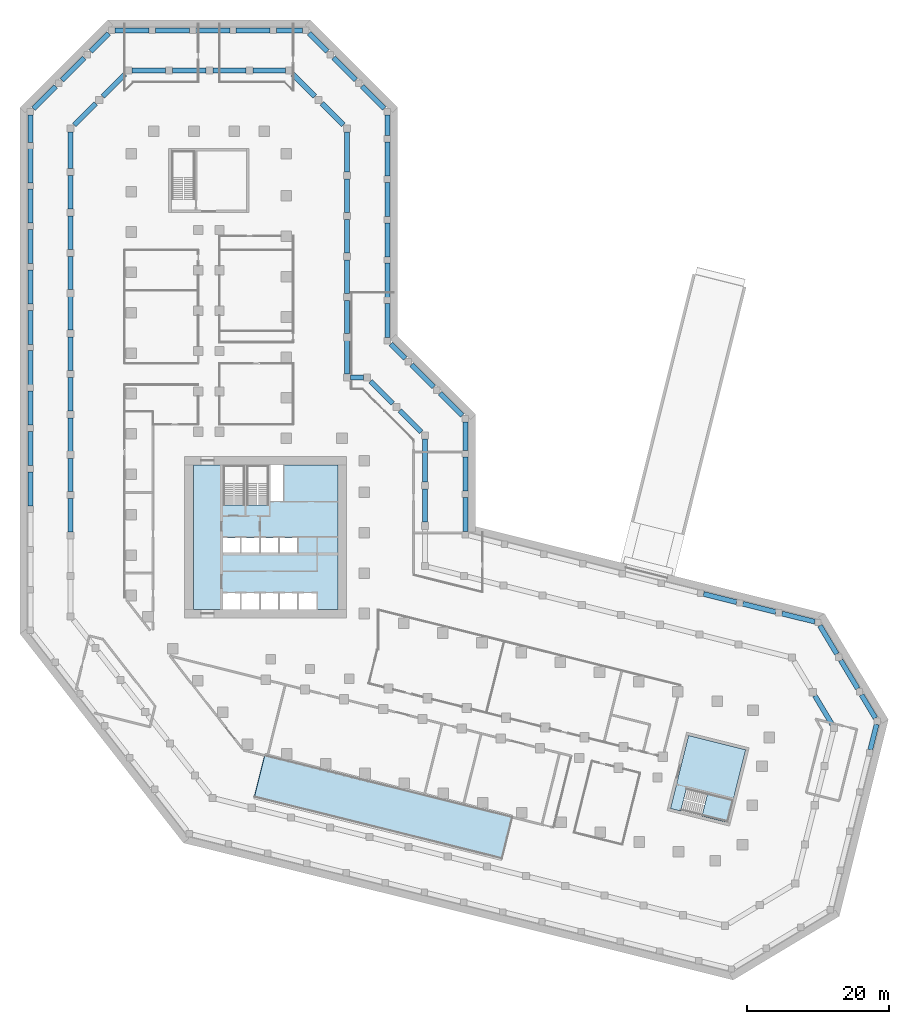
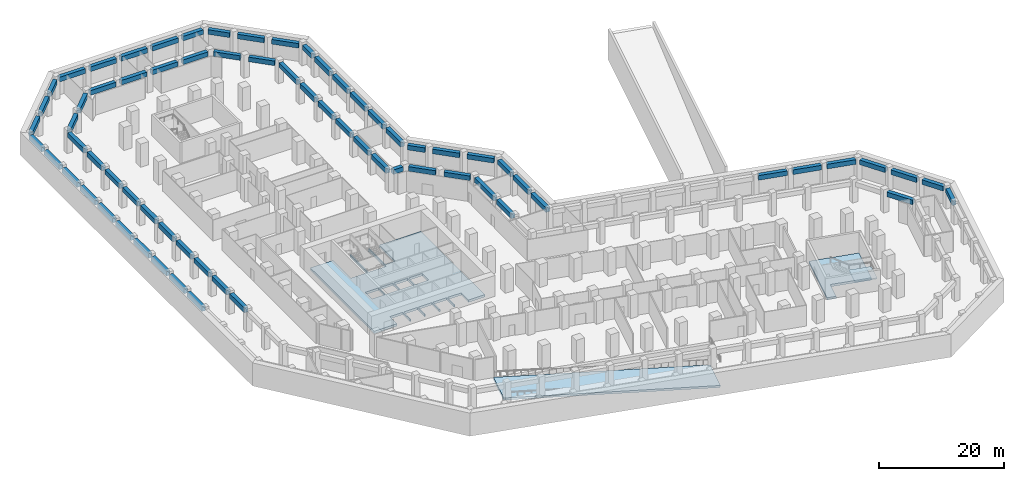
# One storey, part 3 of 14: 70 beams, 4 slabs, 1 element without a shape of its own.
"""IFC4 building model written with IfcOpenShell, lengths in metres."""

from ifc_helpers import new_model, si_unit, direction, frame, origin, origin_2d, place, context, subcontext, project, spatial, polyline, rectangle, outline, extrude, material, layer, layer_set, material_profile, profile_set, type_object, element, aggregate, save


model = new_model("IFC4")

# Units and contexts
model_context = context("Model", 3, precision=1e-05, world=origin(), true_north=direction((0.0, 1.0)))
body_context = subcontext(model_context, "Body", "Model", "MODEL_VIEW")
ifc_project = project(units=[si_unit("LENGTHUNIT", "METRE"), si_unit("AREAUNIT", "SQUARE_METRE"), si_unit("VOLUMEUNIT", "CUBIC_METRE"), si_unit("PLANEANGLEUNIT", "RADIAN"), si_unit("MASSUNIT", "GRAM", prefix="KILO")], contexts=[model_context])

# Site, building, storey
site_placement = place(None, origin())
site = spatial("IfcSite", under=ifc_project, at=site_placement, CompositionType="ELEMENT")
building_placement = place(site_placement, origin())
building = spatial("IfcBuilding", under=site, at=building_placement, Name="Meshkara Civic Tower", CompositionType="ELEMENT")
storey_placement = place(building_placement, frame((0.0, 0.0, -4.5)))
storey = spatial("IfcBuildingStorey", under=building, at=storey_placement, Name="B1", CompositionType="ELEMENT", Elevation=-4.5)

# Beams
ifc_material_1 = material(Name="Concrete C60", Category="concrete")
ifc_material_profile = material_profile(ifc_material_1, rectangle(XDim=0.699951171875, YDim=0.89990234375, at=origin_2d()))
ifc_profile_set = profile_set([ifc_material_profile], Name="Concrete C60")
beam_type = type_object("IfcBeamType", Name="Spandrel beam RC 700x900 C60", PredefinedType="BEAM", material=ifc_profile_set)
beam_1_placement = place(storey_placement, frame((36.153564453125, 85.96337890625, 3.60009765625), z_axis=(-0.707106781187, 0.707106781187, 0.0), x_axis=(-0.707106781187, -0.707106781187, 0.0)))
element("IfcBeam", 1, at=beam_1_placement, inside=storey, type_object=beam_type, Name="Spandrel beam BM11-E-BM12-01", PredefinedType="BEAM", context=body_context, shape_type="SweptSolid", body=[
    extrude(rectangle(XDim=0.699951171875, YDim=0.89990234375, at=origin_2d()), origin(), (0.0, 0.0, 1.0), 4.43798828125),
])
beam_2_placement = place(storey_placement, frame((32.12255859375, 89.994384765625, 3.60009765625), z_axis=(-0.707079265698, 0.707134295604, 0.0), x_axis=(-0.707134295604, -0.707079265698, 0.0)))
element("IfcBeam", 2, at=beam_2_placement, inside=storey, type_object=beam_type, Name="Spandrel beam BM12-01-BM12-02", PredefinedType="BEAM", context=body_context, shape_type="SweptSolid", body=[
    extrude(rectangle(XDim=0.699951171875, YDim=0.89990234375, at=origin_2d()), origin(), (0.0, 0.0, 1.0), 4.4365234375),
])
beam_3_placement = place(storey_placement, frame((28.092529296875, 94.0244140625, 3.60009765625), z_axis=(-0.707106781187, 0.707106781187, 0.0), x_axis=(-0.707106781187, -0.707106781187, 0.0)))
element("IfcBeam", 3, at=beam_3_placement, inside=storey, type_object=beam_type, Name="Spandrel beam BM00-E-BM12-02", PredefinedType="BEAM", context=body_context, shape_type="SweptSolid", body=[
    extrude(rectangle(XDim=0.699951171875, YDim=0.89990234375, at=origin_2d()), origin(), (0.0, 0.0, 1.0), 3.60498046875),
])
beam_4_placement = place(storey_placement, frame((24.652099609375, 97.02001953125, 3.60009765625), z_axis=(-1.0, 0.0, 0.0), x_axis=(0.0, -1.0, 0.0)))
element("IfcBeam", 4, at=beam_4_placement, inside=storey, type_object=beam_type, Name="Spandrel beam BM00-04-BM00-E", PredefinedType="BEAM", context=body_context, shape_type="SweptSolid", body=[
    extrude(rectangle(XDim=0.699951171875, YDim=0.89990234375, at=origin_2d()), origin(), (0.0, 0.0, 1.0), 3.7041015625),
])
beam_5_placement = place(storey_placement, frame((20.05810546875, 97.02001953125, 3.60009765625), z_axis=(-1.0, 0.0, 0.0), x_axis=(0.0, -1.0, 0.0)))
element("IfcBeam", 5, at=beam_5_placement, inside=storey, type_object=beam_type, Name="Spandrel beam BM00-03-BM00-04", PredefinedType="BEAM", context=body_context, shape_type="SweptSolid", body=[
    extrude(rectangle(XDim=0.699951171875, YDim=0.89990234375, at=origin_2d()), origin(), (0.0, 0.0, 1.0), 4.81005859375),
])
beam_6_placement = place(storey_placement, frame((14.35791015625, 97.02001953125, 3.60009765625), z_axis=(-1.0, 0.0, 0.0), x_axis=(0.0, -1.0, 0.0)))
element("IfcBeam", 6, at=beam_6_placement, inside=storey, type_object=beam_type, Name="Spandrel beam BM00-02-BM00-03", PredefinedType="BEAM", context=body_context, shape_type="SweptSolid", body=[
    extrude(rectangle(XDim=0.699951171875, YDim=0.89990234375, at=origin_2d()), origin(), (0.0, 0.0, 1.0), 4.809814453125),
])
for number, where, z_axis, x_axis, name in (
    (7, (8.657958984375, 97.02001953125, 3.60009765625), (-1.0, 0.0, 0.0), (0.0, -1.0, 0.0), "Spandrel beam BM00-01-BM00-02"),
    (8, (2.9580078125, 97.02001953125, 3.60009765625), (-1.0, 0.0, 0.0), (0.0, -1.0, 0.0), "Spandrel beam BM00-00-BM00-01"),
):
    element("IfcBeam", number, at=place(storey_placement, frame(where, z_axis=z_axis, x_axis=x_axis)), inside=storey, type_object=beam_type, Name=name, PredefinedType="BEAM", context=body_context, shape_type="SweptSolid", body=[
        extrude(rectangle(XDim=0.699951171875, YDim=0.89990234375, at=origin_2d()), origin(), (0.0, 0.0, 1.0), 4.81005859375),
    ])
beam_7_placement = place(storey_placement, frame((-2.743408203125, 96.573486328125, 3.60009765625), z_axis=(-0.707106781187, -0.707106781187, 0.0), x_axis=(0.707106781187, -0.707106781187, 0.0)))
element("IfcBeam", 9, at=beam_7_placement, inside=storey, type_object=beam_type, Name="Spandrel beam BM00-00-BM01-02", PredefinedType="BEAM", context=body_context, shape_type="SweptSolid", body=[
    extrude(rectangle(XDim=0.699951171875, YDim=0.89990234375, at=origin_2d()), origin(), (0.0, 0.0, 1.0), 3.60498046875),
])
beam_8_placement = place(storey_placement, frame((-6.185546875, 93.131591796875, 3.60009765625), z_axis=(-0.707079265698, -0.707134295604, 0.0), x_axis=(0.707134295604, -0.707079265698, 0.0)))
element("IfcBeam", 10, at=beam_8_placement, inside=storey, type_object=beam_type, Name="Spandrel beam BM01-01-BM01-02", PredefinedType="BEAM", context=body_context, shape_type="SweptSolid", body=[
    extrude(rectangle(XDim=0.699951171875, YDim=0.89990234375, at=origin_2d()), origin(), (0.0, 0.0, 1.0), 4.4365234375),
])
beam_9_placement = place(storey_placement, frame((-10.215576171875, 89.1015625, 3.60009765625), z_axis=(-0.707079274261, -0.707134287042, 0.0), x_axis=(0.707134287042, -0.707079274261, 0.0)))
element("IfcBeam", 11, at=beam_9_placement, inside=storey, type_object=beam_type, Name="Spandrel beam BM01-00-BM01-01", PredefinedType="BEAM", context=body_context, shape_type="SweptSolid", body=[
    extrude(rectangle(XDim=0.699951171875, YDim=0.89990234375, at=origin_2d()), origin(), (0.0, 0.0, 1.0), 4.43798828125),
])
beam_10_placement = place(storey_placement, frame((-13.800048828125, 85.072021484375, 3.60009765625), z_axis=(0.0, -1.0, 0.0), x_axis=(1.0, 0.0, 0.0)))
element("IfcBeam", 12, at=beam_10_placement, inside=storey, type_object=beam_type, Name="Spandrel beam BM01-00-BM02-12", PredefinedType="BEAM", context=body_context, shape_type="SweptSolid", body=[
    extrude(rectangle(XDim=0.699951171875, YDim=0.89990234375, at=origin_2d()), origin(), (0.0, 0.0, 1.0), 3.87890625),
])
for number, where, z_axis, x_axis, name in (
    (13, (-13.800048828125, 80.302978515625, 3.60009765625), (0.0, -1.0, 0.0), (1.0, 0.0, 0.0), "Spandrel beam BM02-11-BM02-12"),
    (14, (-13.800048828125, 74.60302734375, 3.60009765625), (0.0, -1.0, 0.0), (1.0, 0.0, 0.0), "Spandrel beam BM02-10-BM02-11"),
    (15, (-13.800048828125, 68.903076171875, 3.60009765625), (0.0, -1.0, 0.0), (1.0, 0.0, 0.0), "Spandrel beam BM02-09-BM02-10"),
):
    element("IfcBeam", number, at=place(storey_placement, frame(where, z_axis=z_axis, x_axis=x_axis)), inside=storey, type_object=beam_type, Name=name, PredefinedType="BEAM", context=body_context, shape_type="SweptSolid", body=[
        extrude(rectangle(XDim=0.699951171875, YDim=0.89990234375, at=origin_2d()), origin(), (0.0, 0.0, 1.0), 4.81005859375),
    ])
for number, where, z_axis, x_axis, name in (
    (16, (-13.800048828125, 63.202880859375, 3.60009765625), (0.0, -1.0, 0.0), (1.0, 0.0, 0.0), "Spandrel beam BM02-08-BM02-09"),
    (17, (-13.800048828125, 57.5029296875, 3.60009765625), (0.0, -1.0, 0.0), (1.0, 0.0, 0.0), "Spandrel beam BM02-07-BM02-08"),
):
    element("IfcBeam", number, at=place(storey_placement, frame(where, z_axis=z_axis, x_axis=x_axis)), inside=storey, type_object=beam_type, Name=name, PredefinedType="BEAM", context=body_context, shape_type="SweptSolid", body=[
        extrude(rectangle(XDim=0.699951171875, YDim=0.89990234375, at=origin_2d()), origin(), (0.0, 0.0, 1.0), 4.809814453125),
    ])
for number, where, z_axis, x_axis, name in (
    (18, (-13.800048828125, 51.802978515625, 3.60009765625), (0.0, -1.0, 0.0), (1.0, 0.0, 0.0), "Spandrel beam BM02-06-BM02-07"),
    (19, (-13.800048828125, 46.10302734375, 3.60009765625), (0.0, -1.0, 0.0), (1.0, 0.0, 0.0), "Spandrel beam BM02-05-BM02-06"),
    (20, (-13.800048828125, 40.403076171875, 3.60009765625), (0.0, -1.0, 0.0), (1.0, 0.0, 0.0), "Spandrel beam BM02-04-BM02-05"),
):
    element("IfcBeam", number, at=place(storey_placement, frame(where, z_axis=z_axis, x_axis=x_axis)), inside=storey, type_object=beam_type, Name=name, PredefinedType="BEAM", context=body_context, shape_type="SweptSolid", body=[
        extrude(rectangle(XDim=0.699951171875, YDim=0.89990234375, at=origin_2d()), origin(), (0.0, 0.0, 1.0), 4.81005859375),
    ])
beam_11_placement = place(storey_placement, frame((-13.800048828125, 34.702880859375, 3.60009765625), z_axis=(0.0, -1.0, 0.0), x_axis=(1.0, 0.0, 0.0)))
element("IfcBeam", 21, at=beam_11_placement, inside=storey, type_object=beam_type, Name="Spandrel beam BM02-03-BM02-04", PredefinedType="BEAM", context=body_context, shape_type="SweptSolid", body=[
    extrude(rectangle(XDim=0.699951171875, YDim=0.89990234375, at=origin_2d()), origin(), (0.0, 0.0, 1.0), 4.809814453125),
])
beam_12_placement = place(storey_placement, frame((104.739990234375, -4.510009765625, 3.60009765625), z_axis=(0.241879064619, 0.970306404235, 0.0), x_axis=(-0.970306404235, 0.241879064619, 0.0)))
element("IfcBeam", 22, at=beam_12_placement, inside=storey, type_object=beam_type, Name="Spandrel beam BM06-04-BM06-E", PredefinedType="BEAM", context=body_context, shape_type="SweptSolid", body=[
    extrude(rectangle(XDim=0.699951171875, YDim=0.89990234375, at=origin_2d()), origin(), (0.0, 0.0, 1.0), 3.675048828125),
])
beam_13_placement = place(storey_placement, frame((105.47216796875, -0.05322265625, 3.60009765625), z_axis=(-0.515123927013, 0.857115709703, 0.0), x_axis=(-0.857115709703, -0.515123927013, 0.0)))
element("IfcBeam", 23, at=beam_13_placement, inside=storey, type_object=beam_type, Name="Spandrel beam BM06-E-BM07-02", PredefinedType="BEAM", context=body_context, shape_type="SweptSolid", body=[
    extrude(rectangle(XDim=0.699951171875, YDim=0.89990234375, at=origin_2d()), origin(), (0.0, 0.0, 1.0), 3.82861328125),
])
beam_14_placement = place(storey_placement, frame((102.964111328125, 4.11962890625, 3.60009765625), z_axis=(-0.51511976576, 0.857118210589, 0.0), x_axis=(-0.857118210589, -0.51511976576, 0.0)))
element("IfcBeam", 24, at=beam_14_placement, inside=storey, type_object=beam_type, Name="Spandrel beam BM07-01-BM07-02", PredefinedType="BEAM", context=body_context, shape_type="SweptSolid", body=[
    extrude(rectangle(XDim=0.699951171875, YDim=0.89990234375, at=origin_2d()), origin(), (0.0, 0.0, 1.0), 4.659423828125),
])
beam_15_placement = place(storey_placement, frame((100.0283203125, 9.004638671875, 3.60009765625), z_axis=(-0.515104219257, 0.857127553695, 0.0), x_axis=(-0.857127553695, -0.515104219257, 0.0)))
element("IfcBeam", 25, at=beam_15_placement, inside=storey, type_object=beam_type, Name="Spandrel beam BM07-00-BM07-01", PredefinedType="BEAM", context=body_context, shape_type="SweptSolid", body=[
    extrude(rectangle(XDim=0.699951171875, YDim=0.89990234375, at=origin_2d()), origin(), (0.0, 0.0, 1.0), 4.660400390625),
])
beam_16_placement = place(storey_placement, frame((96.914794921875, 13.555908203125, 3.60009765625), z_axis=(-0.97029597105, 0.241920913861, 0.0), x_axis=(-0.241920913861, -0.97029597105, 0.0)))
element("IfcBeam", 26, at=beam_16_placement, inside=storey, type_object=beam_type, Name="Spandrel beam BM07-00-BM08-08", PredefinedType="BEAM", context=body_context, shape_type="SweptSolid", body=[
    extrude(rectangle(XDim=0.699951171875, YDim=0.89990234375, at=origin_2d()), origin(), (0.0, 0.0, 1.0), 4.766357421875),
])
beam_17_placement = place(storey_placement, frame((91.39990234375, 14.930908203125, 3.60009765625), z_axis=(-0.970289478464, 0.241946952825, 0.0), x_axis=(-0.241946952825, -0.970289478464, 0.0)))
element("IfcBeam", 27, at=beam_17_placement, inside=storey, type_object=beam_type, Name="Spandrel beam BM08-07-BM08-08", PredefinedType="BEAM", context=body_context, shape_type="SweptSolid", body=[
    extrude(rectangle(XDim=0.699951171875, YDim=0.89990234375, at=origin_2d()), origin(), (0.0, 0.0, 1.0), 4.781982421875),
])
beam_18_placement = place(storey_placement, frame((85.869873046875, 16.31005859375, 3.60009765625), z_axis=(-0.970301429476, 0.241899020164, 0.0), x_axis=(-0.241899020164, -0.970301429476, 0.0)))
element("IfcBeam", 28, at=beam_18_placement, inside=storey, type_object=beam_type, Name="Spandrel beam BM08-06-BM08-07", PredefinedType="BEAM", context=body_context, shape_type="SweptSolid", body=[
    extrude(rectangle(XDim=0.699951171875, YDim=0.89990234375, at=origin_2d()), origin(), (0.0, 0.0, 1.0), 4.782958984375),
])
for number, where, z_axis, x_axis, name in (
    (29, (47.60009765625, 26.297119140625, 3.60009765625), (0.0, 1.0, 0.0), (-1.0, 0.0, 0.0), "Spandrel beam BM08-00-BM09-01"),
    (30, (47.60009765625, 31.9970703125, 3.60009765625), (0.0, 1.0, 0.0), (-1.0, 0.0, 0.0), "Spandrel beam BM09-01-BM09-02"),
):
    element("IfcBeam", number, at=place(storey_placement, frame(where, z_axis=z_axis, x_axis=x_axis)), inside=storey, type_object=beam_type, Name=name, PredefinedType="BEAM", context=body_context, shape_type="SweptSolid", body=[
        extrude(rectangle(XDim=0.699951171875, YDim=0.89990234375, at=origin_2d()), origin(), (0.0, 0.0, 1.0), 4.809814453125),
    ])
beam_19_placement = place(storey_placement, frame((47.60009765625, 37.697021484375, 3.60009765625), z_axis=(0.0, 1.0, 0.0), x_axis=(-1.0, 0.0, 0.0)))
element("IfcBeam", 31, at=beam_19_placement, inside=storey, type_object=beam_type, Name="Spandrel beam BM09-02-BM09-E", PredefinedType="BEAM", context=body_context, shape_type="SweptSolid", body=[
    extrude(rectangle(XDim=0.699951171875, YDim=0.89990234375, at=origin_2d()), origin(), (0.0, 0.0, 1.0), 4.054931640625),
])
beam_20_placement = place(storey_placement, frame((47.153564453125, 42.6435546875, 3.60009765625), z_axis=(-0.707134287042, 0.707079274261, 0.0), x_axis=(-0.707079274261, -0.707134287042, 0.0)))
element("IfcBeam", 32, at=beam_20_placement, inside=storey, type_object=beam_type, Name="Spandrel beam BM09-E-BM10-01", PredefinedType="BEAM", context=body_context, shape_type="SweptSolid", body=[
    extrude(rectangle(XDim=0.699951171875, YDim=0.89990234375, at=origin_2d()), origin(), (0.0, 0.0, 1.0), 4.43798828125),
])
beam_21_placement = place(storey_placement, frame((43.12255859375, 46.674560546875, 3.60009765625), z_axis=(-0.707106781187, 0.707106781187, 0.0), x_axis=(-0.707106781187, -0.707106781187, 0.0)))
element("IfcBeam", 33, at=beam_21_placement, inside=storey, type_object=beam_type, Name="Spandrel beam BM10-01-BM10-02", PredefinedType="BEAM", context=body_context, shape_type="SweptSolid", body=[
    extrude(rectangle(XDim=0.699951171875, YDim=0.89990234375, at=origin_2d()), origin(), (0.0, 0.0, 1.0), 4.436279296875),
])
beam_22_placement = place(storey_placement, frame((39.092529296875, 50.70458984375, 3.60009765625), z_axis=(-0.707148967553, 0.707064592303, 0.0), x_axis=(-0.707064592303, -0.707148967553, 0.0)))
element("IfcBeam", 34, at=beam_22_placement, inside=storey, type_object=beam_type, Name="Spandrel beam BM10-02-BM10-E", PredefinedType="BEAM", context=body_context, shape_type="SweptSolid", body=[
    extrude(rectangle(XDim=0.699951171875, YDim=0.89990234375, at=origin_2d()), origin(), (0.0, 0.0, 1.0), 2.8935546875),
])
beam_23_placement = place(storey_placement, frame((36.60009765625, 53.64208984375, 3.60009765625), z_axis=(0.0, 1.0, 0.0), x_axis=(-1.0, 0.0, 0.0)))
element("IfcBeam", 35, at=beam_23_placement, inside=storey, type_object=beam_type, Name="Spandrel beam BM10-E-BM11-01", PredefinedType="BEAM", context=body_context, shape_type="SweptSolid", body=[
    extrude(rectangle(XDim=0.699951171875, YDim=0.89990234375, at=origin_2d()), origin(), (0.0, 0.0, 1.0), 4.809814453125),
])
for number, where, z_axis, x_axis, name in (
    (36, (36.60009765625, 59.342041015625, 3.60009765625), (0.0, 1.0, 0.0), (-1.0, 0.0, 0.0), "Spandrel beam BM11-01-BM11-02"),
    (37, (36.60009765625, 65.0419921875, 3.60009765625), (0.0, 1.0, 0.0), (-1.0, 0.0, 0.0), "Spandrel beam BM11-02-BM11-03"),
    (38, (36.60009765625, 70.741943359375, 3.60009765625), (0.0, 1.0, 0.0), (-1.0, 0.0, 0.0), "Spandrel beam BM11-03-BM11-04"),
    (39, (36.60009765625, 76.44189453125, 3.60009765625), (0.0, 1.0, 0.0), (-1.0, 0.0, 0.0), "Spandrel beam BM11-04-BM11-05"),
):
    element("IfcBeam", number, at=place(storey_placement, frame(where, z_axis=z_axis, x_axis=x_axis)), inside=storey, type_object=beam_type, Name=name, PredefinedType="BEAM", context=body_context, shape_type="SweptSolid", body=[
        extrude(rectangle(XDim=0.699951171875, YDim=0.89990234375, at=origin_2d()), origin(), (0.0, 0.0, 1.0), 4.81005859375),
    ])
beam_24_placement = place(storey_placement, frame((36.60009765625, 82.14208984375, 3.60009765625), z_axis=(0.0, 1.0, 0.0), x_axis=(-1.0, 0.0, 0.0)))
element("IfcBeam", 40, at=beam_24_placement, inside=storey, type_object=beam_type, Name="Spandrel beam BM11-05-BM11-E", PredefinedType="BEAM", context=body_context, shape_type="SweptSolid", body=[
    extrude(rectangle(XDim=0.699951171875, YDim=0.89990234375, at=origin_2d()), origin(), (0.0, 0.0, 1.0), 2.929931640625),
])
beam_25_placement = place(storey_placement, frame((30.403564453125, 83.652587890625, 3.60009765625), z_axis=(-0.707135193312, 0.707078367919, 0.0), x_axis=(-0.707078367919, -0.707135193312, 0.0)))
element("IfcBeam", 41, at=beam_25_placement, inside=storey, type_object=beam_type, Name="Spandrel beam PD12-E-PD13-01", PredefinedType="BEAM", context=body_context, shape_type="SweptSolid", body=[
    extrude(rectangle(XDim=0.699951171875, YDim=0.89990234375, at=origin_2d()), origin(), (0.0, 0.0, 1.0), 4.29638671875),
])
beam_26_placement = place(storey_placement, frame((26.37255859375, 87.68359375, 3.60009765625), z_axis=(-0.707134269933, 0.707079291371, 0.0), x_axis=(-0.707079291371, -0.707134269933, 0.0)))
element("IfcBeam", 42, at=beam_26_placement, inside=storey, type_object=beam_type, Name="Spandrel beam PD00-E-PD13-01", PredefinedType="BEAM", context=body_context, shape_type="SweptSolid", body=[
    extrude(rectangle(XDim=0.699951171875, YDim=0.89990234375, at=origin_2d()), origin(), (0.0, 0.0, 1.0), 4.440673828125),
])
beam_27_placement = place(storey_placement, frame((22.240966796875, 91.320068359375, 3.60009765625), z_axis=(-1.0, 0.0, 0.0), x_axis=(0.0, -1.0, 0.0)))
element("IfcBeam", 43, at=beam_27_placement, inside=storey, type_object=beam_type, Name="Spandrel beam PD00-03-PD00-E", PredefinedType="BEAM", context=body_context, shape_type="SweptSolid", body=[
    extrude(rectangle(XDim=0.699951171875, YDim=0.89990234375, at=origin_2d()), origin(), (0.0, 0.0, 1.0), 4.58203125),
])
for number, where, z_axis, x_axis, name in (
    (44, (16.6689453125, 91.320068359375, 3.60009765625), (-1.0, 0.0, 0.0), (0.0, -1.0, 0.0), "Spandrel beam PD00-02-PD00-03"),
    (45, (10.968994140625, 91.320068359375, 3.60009765625), (-1.0, 0.0, 0.0), (0.0, -1.0, 0.0), "Spandrel beam PD00-01-PD00-02"),
    (46, (5.26904296875, 91.320068359375, 3.60009765625), (-1.0, 0.0, 0.0), (0.0, -1.0, 0.0), "Spandrel beam PD00-00-PD00-01"),
):
    element("IfcBeam", number, at=place(storey_placement, frame(where, z_axis=z_axis, x_axis=x_axis)), inside=storey, type_object=beam_type, Name=name, PredefinedType="BEAM", context=body_context, shape_type="SweptSolid", body=[
        extrude(rectangle(XDim=0.699951171875, YDim=0.89990234375, at=origin_2d()), origin(), (0.0, 0.0, 1.0), 4.7099609375),
    ])
beam_28_placement = place(storey_placement, frame((-0.4326171875, 90.823486328125, 3.60009765625), z_axis=(-0.707106781187, -0.707106781187, 0.0), x_axis=(0.707106781187, -0.707106781187, 0.0)))
element("IfcBeam", 47, at=beam_28_placement, inside=storey, type_object=beam_type, Name="Spandrel beam PD00-00-PD01-01", PredefinedType="BEAM", context=body_context, shape_type="SweptSolid", body=[
    extrude(rectangle(XDim=0.699951171875, YDim=0.89990234375, at=origin_2d()), origin(), (0.0, 0.0, 1.0), 4.4404296875),
])
beam_29_placement = place(storey_placement, frame((-4.5654296875, 86.6904296875, 3.60009765625), z_axis=(-0.707135193312, -0.707078367919, 0.0), x_axis=(0.707078367919, -0.707135193312, 0.0)))
element("IfcBeam", 48, at=beam_29_placement, inside=storey, type_object=beam_type, Name="Spandrel beam PD01-00-PD01-01", PredefinedType="BEAM", context=body_context, shape_type="SweptSolid", body=[
    extrude(rectangle(XDim=0.699951171875, YDim=0.89990234375, at=origin_2d()), origin(), (0.0, 0.0, 1.0), 4.29638671875),
])
beam_30_placement = place(storey_placement, frame((-8.10009765625, 82.660888671875, 3.60009765625), z_axis=(0.0, -1.0, 0.0), x_axis=(1.0, 0.0, 0.0)))
element("IfcBeam", 49, at=beam_30_placement, inside=storey, type_object=beam_type, Name="Spandrel beam PD01-00-PD02-11", PredefinedType="BEAM", context=body_context, shape_type="SweptSolid", body=[
    extrude(rectangle(XDim=0.699951171875, YDim=0.89990234375, at=origin_2d()), origin(), (0.0, 0.0, 1.0), 5.15478515625),
])
beam_31_placement = place(storey_placement, frame((-8.10009765625, 76.51611328125, 3.60009765625), z_axis=(0.0, -1.0, 0.0), x_axis=(1.0, 0.0, 0.0)))
element("IfcBeam", 50, at=beam_31_placement, inside=storey, type_object=beam_type, Name="Spandrel beam PD02-10-PD02-11", PredefinedType="BEAM", context=body_context, shape_type="SweptSolid", body=[
    extrude(rectangle(XDim=0.699951171875, YDim=0.89990234375, at=origin_2d()), origin(), (0.0, 0.0, 1.0), 4.710205078125),
])
for number, where, z_axis, x_axis, name in (
    (51, (-8.10009765625, 70.81591796875, 3.60009765625), (0.0, -1.0, 0.0), (1.0, 0.0, 0.0), "Spandrel beam PD02-09-PD02-10"),
    (52, (-8.10009765625, 65.115966796875, 3.60009765625), (0.0, -1.0, 0.0), (1.0, 0.0, 0.0), "Spandrel beam PD02-08-PD02-09"),
    (53, (-8.10009765625, 59.416015625, 3.60009765625), (0.0, -1.0, 0.0), (1.0, 0.0, 0.0), "Spandrel beam PD02-07-PD02-08"),
    (54, (-8.10009765625, 53.716064453125, 3.60009765625), (0.0, -1.0, 0.0), (1.0, 0.0, 0.0), "Spandrel beam PD02-06-PD02-07"),
):
    element("IfcBeam", number, at=place(storey_placement, frame(where, z_axis=z_axis, x_axis=x_axis)), inside=storey, type_object=beam_type, Name=name, PredefinedType="BEAM", context=body_context, shape_type="SweptSolid", body=[
        extrude(rectangle(XDim=0.699951171875, YDim=0.89990234375, at=origin_2d()), origin(), (0.0, 0.0, 1.0), 4.7099609375),
    ])
beam_32_placement = place(storey_placement, frame((-8.10009765625, 48.01611328125, 3.60009765625), z_axis=(0.0, -1.0, 0.0), x_axis=(1.0, 0.0, 0.0)))
element("IfcBeam", 55, at=beam_32_placement, inside=storey, type_object=beam_type, Name="Spandrel beam PD02-05-PD02-06", PredefinedType="BEAM", context=body_context, shape_type="SweptSolid", body=[
    extrude(rectangle(XDim=0.699951171875, YDim=0.89990234375, at=origin_2d()), origin(), (0.0, 0.0, 1.0), 4.710205078125),
])
for number, where, z_axis, x_axis, name in (
    (56, (-8.10009765625, 42.31591796875, 3.60009765625), (0.0, -1.0, 0.0), (1.0, 0.0, 0.0), "Spandrel beam PD02-04-PD02-05"),
    (57, (-8.10009765625, 36.615966796875, 3.60009765625), (0.0, -1.0, 0.0), (1.0, 0.0, 0.0), "Spandrel beam PD02-03-PD02-04"),
    (58, (-8.10009765625, 30.916015625, 3.60009765625), (0.0, -1.0, 0.0), (1.0, 0.0, 0.0), "Spandrel beam PD02-02-PD02-03"),
):
    element("IfcBeam", number, at=place(storey_placement, frame(where, z_axis=z_axis, x_axis=x_axis)), inside=storey, type_object=beam_type, Name=name, PredefinedType="BEAM", context=body_context, shape_type="SweptSolid", body=[
        extrude(rectangle(XDim=0.699951171875, YDim=0.89990234375, at=origin_2d()), origin(), (0.0, 0.0, 1.0), 4.7099609375),
    ])
beam_33_placement = place(storey_placement, frame((99.340087890625, -0.915283203125, 3.60009765625), z_axis=(-0.515169292752, 0.857088443398, 0.0), x_axis=(-0.857088443398, -0.515169292752, 0.0)))
element("IfcBeam", 59, at=beam_33_placement, inside=storey, type_object=beam_type, Name="Spandrel beam PD06-E-PD07-01", PredefinedType="BEAM", context=body_context, shape_type="SweptSolid", body=[
    extrude(rectangle(XDim=0.699951171875, YDim=0.89990234375, at=origin_2d()), origin(), (0.0, 0.0, 1.0), 4.689697265625),
])
beam_34_placement = place(storey_placement, frame((41.89990234375, 27.593994140625, 3.60009765625), z_axis=(0.0, 1.0, 0.0), x_axis=(-1.0, 0.0, 0.0)))
element("IfcBeam", 60, at=beam_34_placement, inside=storey, type_object=beam_type, Name="Spandrel beam PD09-01-PD09-02", PredefinedType="BEAM", context=body_context, shape_type="SweptSolid", body=[
    extrude(rectangle(XDim=0.699951171875, YDim=0.89990234375, at=origin_2d()), origin(), (0.0, 0.0, 1.0), 4.7099609375),
])
beam_35_placement = place(storey_placement, frame((41.89990234375, 33.2939453125, 3.60009765625), z_axis=(0.0, 1.0, 0.0), x_axis=(-1.0, 0.0, 0.0)))
element("IfcBeam", 61, at=beam_35_placement, inside=storey, type_object=beam_type, Name="Spandrel beam PD09-02-PD09-E", PredefinedType="BEAM", context=body_context, shape_type="SweptSolid", body=[
    extrude(rectangle(XDim=0.699951171875, YDim=0.89990234375, at=origin_2d()), origin(), (0.0, 0.0, 1.0), 6.047119140625),
])
beam_36_placement = place(storey_placement, frame((41.403564453125, 40.33251953125, 3.60009765625), z_axis=(-0.707106781187, 0.707106781187, 0.0), x_axis=(-0.707106781187, -0.707106781187, 0.0)))
element("IfcBeam", 62, at=beam_36_placement, inside=storey, type_object=beam_type, Name="Spandrel beam PD09-E-PD10-01", PredefinedType="BEAM", context=body_context, shape_type="SweptSolid", body=[
    extrude(rectangle(XDim=0.699951171875, YDim=0.89990234375, at=origin_2d()), origin(), (0.0, 0.0, 1.0), 4.29638671875),
])
beam_37_placement = place(storey_placement, frame((37.37255859375, 44.363525390625, 3.60009765625), z_axis=(-0.707134269933, 0.707079291371, 0.0), x_axis=(-0.707079291371, -0.707134269933, 0.0)))
element("IfcBeam", 63, at=beam_37_placement, inside=storey, type_object=beam_type, Name="Spandrel beam PD10-01-PD10-E", PredefinedType="BEAM", context=body_context, shape_type="SweptSolid", body=[
    extrude(rectangle(XDim=0.699951171875, YDim=0.89990234375, at=origin_2d()), origin(), (0.0, 0.0, 1.0), 4.440673828125),
])
beam_38_placement = place(storey_placement, frame((33.240966796875, 48.0, 3.60009765625), z_axis=(-1.0, 0.0, 0.0), x_axis=(0.0, -1.0, 0.0)))
element("IfcBeam", 64, at=beam_38_placement, inside=storey, type_object=beam_type, Name="Spandrel beam PD10-E-PD11-00", PredefinedType="BEAM", context=body_context, shape_type="SweptSolid", body=[
    extrude(rectangle(XDim=0.699951171875, YDim=0.89990234375, at=origin_2d()), origin(), (0.0, 0.0, 1.0), 1.845947265625),
])
for number, where, z_axis, x_axis, name in (
    (65, (30.89990234375, 48.4951171875, 3.60009765625), (0.0, 1.0, 0.0), (-1.0, 0.0, 0.0), "Spandrel beam PD11-00-PD12-01"),
    (66, (30.89990234375, 54.195068359375, 3.60009765625), (0.0, 1.0, 0.0), (-1.0, 0.0, 0.0), "Spandrel beam PD12-01-PD12-02"),
    (67, (30.89990234375, 59.89501953125, 3.60009765625), (0.0, 1.0, 0.0), (-1.0, 0.0, 0.0), "Spandrel beam PD12-02-PD12-03"),
    (68, (30.89990234375, 65.594970703125, 3.60009765625), (0.0, 1.0, 0.0), (-1.0, 0.0, 0.0), "Spandrel beam PD12-03-PD12-04"),
    (69, (30.89990234375, 71.294921875, 3.60009765625), (0.0, 1.0, 0.0), (-1.0, 0.0, 0.0), "Spandrel beam PD12-04-PD12-05"),
):
    element("IfcBeam", number, at=place(storey_placement, frame(where, z_axis=z_axis, x_axis=x_axis)), inside=storey, type_object=beam_type, Name=name, PredefinedType="BEAM", context=body_context, shape_type="SweptSolid", body=[
        extrude(rectangle(XDim=0.699951171875, YDim=0.89990234375, at=origin_2d()), origin(), (0.0, 0.0, 1.0), 4.7099609375),
    ])
beam_39_placement = place(storey_placement, frame((30.89990234375, 76.9951171875, 3.60009765625), z_axis=(0.0, 1.0, 0.0), x_axis=(-1.0, 0.0, 0.0)))
element("IfcBeam", 70, at=beam_39_placement, inside=storey, type_object=beam_type, Name="Spandrel beam PD12-05-PD12-E", PredefinedType="BEAM", context=body_context, shape_type="SweptSolid", body=[
    extrude(rectangle(XDim=0.699951171875, YDim=0.89990234375, at=origin_2d()), origin(), (0.0, 0.0, 1.0), 5.665771484375),
])

# Slabs
ifc_material_2 = material(Name="Concrete C40/50", Category="concrete")
ifc_layer_1 = layer(ifc_material_2, 0.449951171875)
ifc_layer_set_1 = layer_set([ifc_layer_1], Name="Core floor slab 450 C40/50")
slab_type_1 = type_object("IfcSlabType", Name="Core floor slab 450 C40/50", PredefinedType="FLOOR", material=ifc_layer_set_1)
slab_1_placement = place(storey_placement, frame((0.0, 0.0, -0.449951171875)))
element("IfcSlab", 71, at=slab_1_placement, inside=storey, type_object=slab_type_1, Name="Core floor K", PredefinedType="FLOOR", context=body_context, shape_type="SweptSolid", body=[
    extrude(outline(polyline([(9.199951171875, 35.699951171875), (13.39990234375, 35.699951171875), (13.39990234375, 30.00146484375), (16.5, 30.00146484375), (16.5, 35.699951171875), (16.699951171875, 35.699951171875), (16.699951171875, 30.00146484375), (19.89990234375, 30.00146484375), (19.89990234375, 35.699951171875), (20.10009765625, 35.699951171875), (20.10009765625, 30.574951171875), (21.925048828125, 30.574951171875), (21.925048828125, 35.699951171875), (29.60009765625, 35.699951171875), (29.60009765625, 15.300048828125), (26.60009765625, 15.300048828125), (26.60009765625, 17.60009765625), (24.10009765625, 17.60009765625), (24.10009765625, 15.300048828125), (23.89990234375, 15.300048828125), (23.89990234375, 17.60009765625), (21.39990234375, 17.60009765625), (21.39990234375, 15.300048828125), (21.199951171875, 15.300048828125), (21.199951171875, 17.60009765625), (18.699951171875, 17.60009765625), (18.699951171875, 15.300048828125), (18.5, 15.300048828125), (18.5, 17.60009765625), (16.0, 17.60009765625), (16.0, 15.300048828125), (15.800048828125, 15.300048828125), (15.800048828125, 17.60009765625), (13.39990234375, 17.60009765625), (13.39990234375, 15.300048828125), (9.199951171875, 15.300048828125), (9.199951171875, 35.699951171875)]), holes=[polyline([(13.39990234375, 25.39990234375), (13.39990234375, 23.300048828125), (15.800048828125, 23.300048828125), (15.800048828125, 25.39990234375), (13.39990234375, 25.39990234375)]), polyline([(18.5, 25.39990234375), (16.0, 25.39990234375), (16.0, 23.300048828125), (18.5, 23.300048828125), (18.5, 25.39990234375)]), polyline([(18.699951171875, 23.300048828125), (21.199951171875, 23.300048828125), (21.199951171875, 25.39990234375), (18.699951171875, 25.39990234375), (18.699951171875, 23.300048828125)]), polyline([(23.89990234375, 23.300048828125), (23.89990234375, 25.39990234375), (21.39990234375, 25.39990234375), (21.39990234375, 23.300048828125), (23.89990234375, 23.300048828125)])]), origin(), (0.0, 0.0, 1.0), 0.449951171875),
])
slab_2_placement = place(storey_placement, frame((0.0, 0.0, -0.449951171875)))
element("IfcSlab", 72, at=slab_2_placement, inside=storey, type_object=slab_type_1, Name="Core floor EB", PredefinedType="FLOOR", context=body_context, shape_type="SweptSolid", body=[
    extrude(outline(polyline([(79.11181640625, -2.513671875), (87.165283203125, -4.521484375), (85.423583984375, -11.507568359375), (78.826904296875, -9.863037109375), (78.00439453125, -13.161865234375), (76.547607421875, -12.798583984375), (79.11181640625, -2.513671875)])), origin(), (0.0, 0.0, 1.0), 0.449951171875),
])

# Stair, slab
ifc_material_3 = material(Name="Precast concrete C40/50", Category="concrete")
stair_type = type_object("IfcStairType", Name="Exit stair half-turn 24 risers 1500 precast", PredefinedType="HALF_TURN_STAIR", material=ifc_material_3)
stair_placement = place(storey_placement, origin())
stair = element("IfcStair", 73, at=stair_placement, inside=storey, type_object=stair_type, Name="B1 exit stair B from B2", PredefinedType="HALF_TURN_STAIR")
ifc_material_4 = material(Name="Precast concrete C40/50", Category="concrete")
ifc_layer_2 = layer(ifc_material_4, 0.199951171875)
ifc_layer_set_2 = layer_set([ifc_layer_2], Name="Exit stair landing 200")
slab_type_2 = type_object("IfcSlabType", Name="Exit stair landing 200", PredefinedType="LANDING", material=ifc_layer_set_2)
slab_3_placement = place(storey_placement, frame((0.0, 0.0, 2.050048828125)))
slab_3 = element("IfcSlab", 74, at=slab_3_placement, type_object=slab_type_2, Name="ESB1 landing 1", PredefinedType="LANDING", context=body_context, shape_type="SweptSolid", body=[
    extrude(outline(polyline([(80.98974609375, -13.9072265625), (84.600830078125, -14.80810546875), (85.424072265625, -11.50830078125), (81.81298828125, -10.607421875), (80.98974609375, -13.9072265625)])), origin(), (0.0, 0.0, 1.0), 0.199951171875),
])
aggregate(stair, [slab_3])

# Slab
ifc_material_5 = material(Name="Concrete C40/50", Category="concrete")
ifc_layer_3 = layer(ifc_material_5, 0.39990234375)
ifc_layer_set_3 = layer_set([ifc_layer_3], Name="Vehicle ramp slab 400 C40/50")
slab_type_3 = type_object("IfcSlabType", Name="Vehicle ramp slab 400 C40/50", PredefinedType="USERDEFINED", material=ifc_layer_set_3)
slab_4_placement = place(storey_placement, frame((19.284912109375, -5.323974609375, 0.0), z_axis=(0.120346225729, -0.030017159888, 0.992278063884), x_axis=(-0.242008957961, -0.970274015042, -5.604e-09)))
element("IfcSlab", 75, at=slab_4_placement, inside=storey, type_object=slab_type_3, Name="Car park ramp slab VR2", ObjectType="VEHICLE RAMP SLAB", PredefinedType="USERDEFINED", context=body_context, shape_type="SweptSolid", body=[
    extrude(outline(polyline([(0.0, 0.0), (5.999382474036041, -2.220446049250313e-16), (5.996838574065431, 36.28059758268177), (-0.003550517406676978, 36.28059812489441), (0.0, 0.0)])), origin(), (0.0, 0.0, -1.0), 0.39990234375),
])

save(model, "model.ifc")
